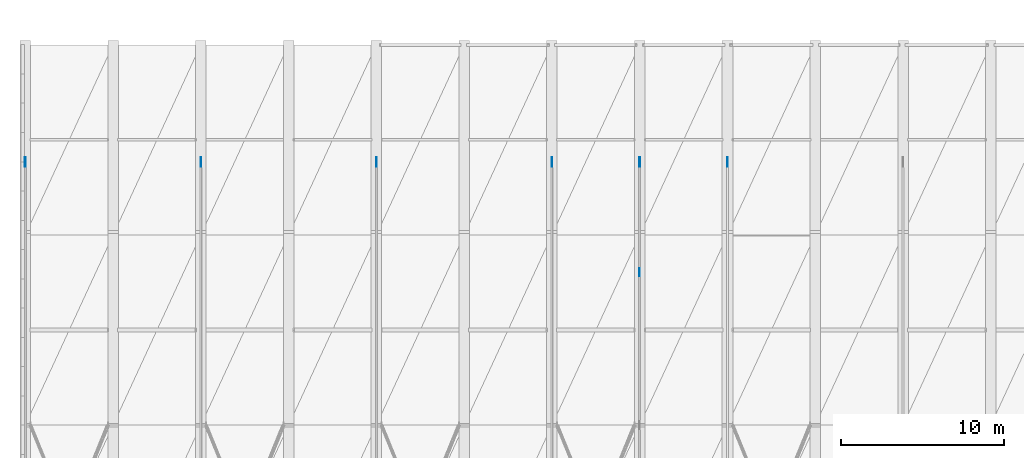
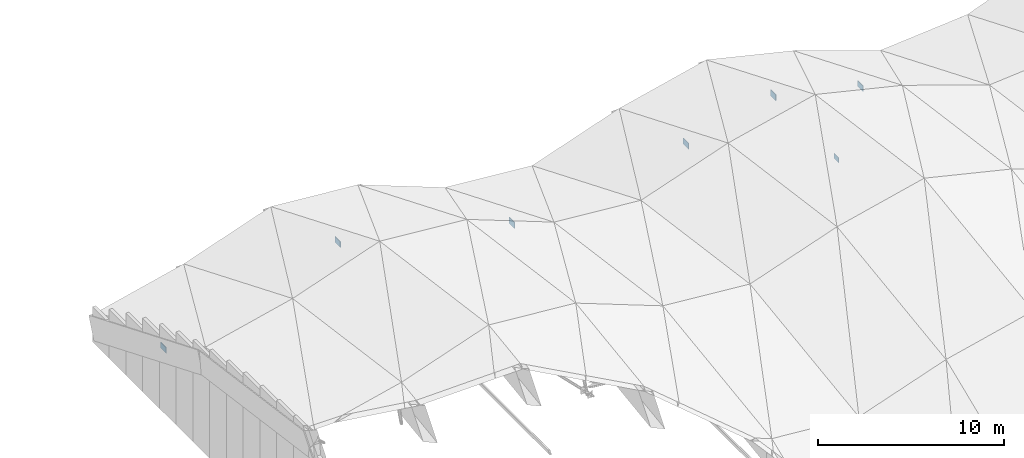
# One storey, part 11 of 22: 7 plates.
"""IFC4 building model written with IfcOpenShell, lengths in metres."""

from ifc_helpers import new_model, si_unit, direction, frame, origin, origin_2d, place, context, subcontext, project, spatial, rectangle, extrude, material, layer, layer_set, type_object, element, save


model = new_model("IFC4")

# Units and contexts
model_context = context("Model", 3, precision=1e-05, world=origin(), true_north=direction((0.0, 1.0)))
body_context = subcontext(model_context, "Body", "Model", "MODEL_VIEW")
ifc_project = project(units=[si_unit("LENGTHUNIT", "METRE"), si_unit("AREAUNIT", "SQUARE_METRE"), si_unit("VOLUMEUNIT", "CUBIC_METRE"), si_unit("PLANEANGLEUNIT", "RADIAN"), si_unit("MASSUNIT", "GRAM", prefix="KILO")], contexts=[model_context])

# Site, building, storey
site_placement = place(None, origin())
site = spatial("IfcSite", under=ifc_project, at=site_placement, CompositionType="ELEMENT")
building_placement = place(site_placement, origin())
building = spatial("IfcBuilding", under=site, at=building_placement, Name="Lusvemor Sports Hall", CompositionType="ELEMENT")
storey_placement = place(building_placement, frame((0.0, 0.0, 23.39990234375)))
storey = spatial("IfcBuildingStorey", under=building, at=storey_placement, Name="Roof", CompositionType="ELEMENT", Elevation=23.39990234375)

# Plates
ifc_material_1 = material(Name="Steel S355", Category="steel")
ifc_layer_1 = layer(ifc_material_1, 0.0400390625)
ifc_layer_set_1 = layer_set([ifc_layer_1], Name="Steel S355")
plate_type_1 = type_object("IfcPlateType", Name="GUSSET_ARCH_A", PredefinedType="USERDEFINED", material=ifc_layer_set_1)
for number, where, z_axis, x_axis, name in (
    (1, (0.0, 39.60009765625, -9.09716796875), (0.0, 0.0, 1.0), (1.0, 0.0, 0.0), "Arch Springing Gusset S00-N"),
    (2, (10.800048828125, 39.60009765625, -5.941650390625), (0.0, 0.0, 1.0), (1.0, 0.0, 0.0), "Arch Springing Gusset S02-N"),
    (3, (21.60009765625, 39.60009765625, -8.47216796875), (0.0, 0.0, 1.0), (1.0, 0.0, 0.0), "Arch Springing Gusset S04-N"),
    (4, (32.39990234375, 39.60009765625, -7.06787109375), (0.0, 0.0, 1.0), (1.0, 0.0, 0.0), "Arch Springing Gusset S06-N"),
    (5, (37.800048828125, 39.60009765625, -5.777099609375), (0.0, 0.0, 1.0), (1.0, 0.0, 0.0), "Arch Springing Gusset S07-N"),
    (6, (43.199951171875, 39.60009765625, -7.06787109375), (0.0, 0.0, 1.0), (1.0, 0.0, 0.0), "Arch Springing Gusset S08-N"),
):
    element("IfcPlate", number, at=place(storey_placement, frame(where, z_axis=z_axis, x_axis=x_axis)), inside=storey, type_object=plate_type_1, Name=name, ObjectType="GUSSET_PLATE", PredefinedType="USERDEFINED", context=body_context, shape_type="SweptSolid", body=[
        extrude(rectangle(XDim=0.0400390625, YDim=0.580078125, at=origin_2d()), origin(), (0.0, 0.0, 1.0), 0.3798828125),
    ])
ifc_material_2 = material(Name="Steel S355", Category="steel")
ifc_layer_2 = layer(ifc_material_2, 0.030029296875)
ifc_layer_set_2 = layer_set([ifc_layer_2], Name="Steel S355")
plate_type_2 = type_object("IfcPlateType", Name="GUSSET_ARCH_B", PredefinedType="USERDEFINED", material=ifc_layer_set_2)
plate_placement = place(storey_placement, frame((37.800048828125, 32.800048828125, -5.752197265625), z_axis=(0.0, 0.0, 1.0), x_axis=(1.0, 0.0, 0.0)))
element("IfcPlate", 7, at=plate_placement, inside=storey, type_object=plate_type_2, Name="Wave Arch Web Gusset S07-RF", ObjectType="GUSSET_PLATE", PredefinedType="USERDEFINED", context=body_context, shape_type="SweptSolid", body=[
    extrude(rectangle(XDim=0.030029296875, YDim=0.5, at=origin_2d()), origin(), (0.0, 0.0, 1.0), 0.330078125),
])

save(model, "model.ifc")
